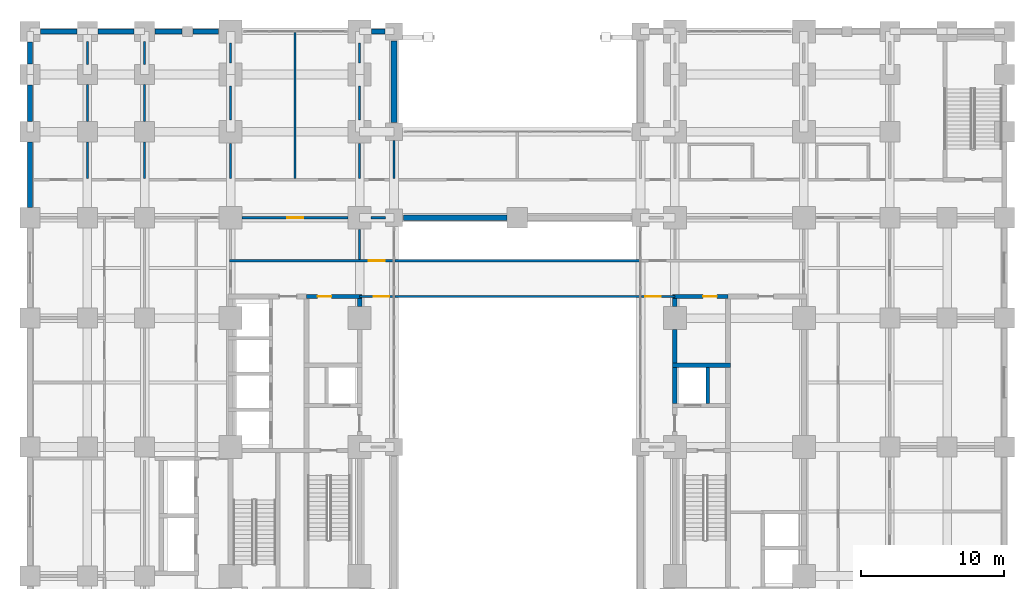
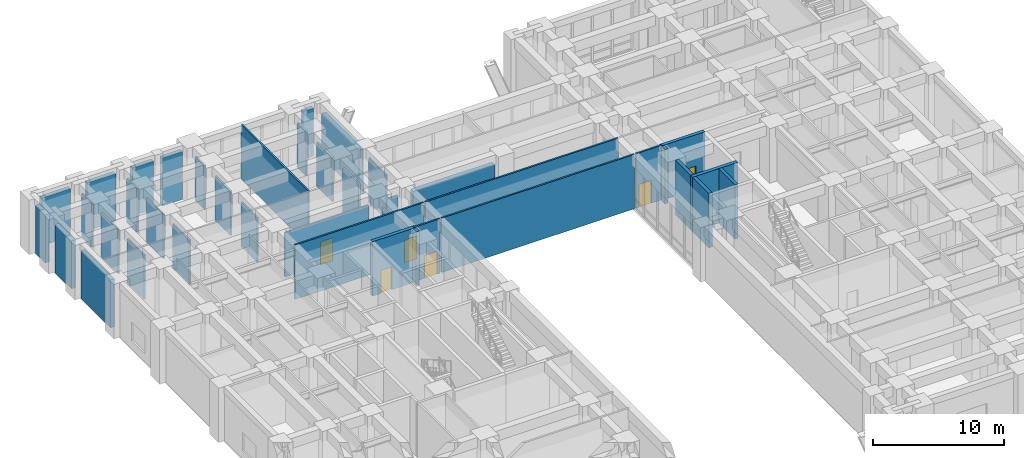
# One storey, part 14 of 23: 40 walls, 6 doors, 6 openings.
"""IFC4 building model written with IfcOpenShell, lengths in metres."""

import ifcopenshell
import ifcopenshell.guid

model = None  # the IFC model being written
_history = None  # IfcOwnerHistory: only IFC2X3 demands one
_inside = {}  # id of a spatial element -> (the spatial element, [elements in it])
_under = {}  # id of a project, library or spatial element -> (it, [spatial elements below it])
_declared = {}  # id of a project -> (the project, [libraries it declares])
_typed = {}  # id of a type object -> (the type object, [elements of that type])
_made_of = {}  # id of a material, layer set ... -> (it, [elements and type objects made of it])


def new_model(schema):
    """Start an empty IFC model of exactly this schema.

    Asked for "IFC4X3", IfcOpenShell would pick the latest addendum, in which some entities
    have other attributes; the version numbers below select the first issue.
    IFC2X3 requires an IfcOwnerHistory on every rooted entity: one is made here for all.
    """
    global model, _history
    if schema == "IFC4X3":
        model = ifcopenshell.file(schema_version=(4, 3, 0, 0))
    else:
        model = ifcopenshell.file(schema=schema)
    _inside.clear()
    _under.clear()
    _declared.clear()
    _typed.clear()
    _made_of.clear()
    _history = None
    if model.schema == "IFC2X3":
        org = make("IfcOrganization", Name="unknown")
        user = make(
            "IfcPersonAndOrganization",
            ThePerson=make("IfcPerson", FamilyName="unknown"),
            TheOrganization=org,
        )
        app = make(
            "IfcApplication",
            ApplicationDeveloper=org,
            Version="unknown",
            ApplicationFullName="unknown",
            ApplicationIdentifier="unknown",
        )
        _history = make(
            "IfcOwnerHistory",
            OwningUser=user,
            OwningApplication=app,
            ChangeAction="ADDED",
            CreationDate=0,
        )
    return model


def make(cls, **values):
    """One entity of the class cls with the attributes given. An attribute that is None is left unset."""
    return model.create_entity(
        cls, **{name: value for name, value in values.items() if value is not None}
    )


def rooted(cls, **values):
    """An entity with a GlobalId (a new one), such as an element, a storey or a relation."""
    return make(cls, GlobalId=ifcopenshell.guid.new(), OwnerHistory=_history, **values)


def si_unit(unit_type, name, prefix=None):
    """IfcSIUnit, for example si_unit("LENGTHUNIT", "METRE", prefix="MILLI")."""
    return make("IfcSIUnit", UnitType=unit_type, Prefix=prefix, Name=name)


def assignment(units):
    """IfcUnitAssignment: the units of a project."""
    return None if units is None else make("IfcUnitAssignment", Units=units)


def point(xyz):
    """IfcCartesianPoint."""
    return None if xyz is None else make("IfcCartesianPoint", Coordinates=xyz)


def direction(xyz):
    """IfcDirection."""
    return None if xyz is None else make("IfcDirection", DirectionRatios=xyz)


def frame(location, z_axis=None, x_axis=None):
    """IfcAxis2Placement3D, a coordinate frame: its origin and axes. An axis left out is left unset."""
    return make(
        "IfcAxis2Placement3D",
        Location=point(location),
        Axis=direction(z_axis),
        RefDirection=direction(x_axis),
    )


def frame_2d(location, x_axis=None):
    """IfcAxis2Placement2D, a coordinate frame in the plane: its origin and x axis."""
    return make(
        "IfcAxis2Placement2D", Location=point(location), RefDirection=direction(x_axis)
    )


def origin():
    """The frame at (0, 0, 0) with its axes left unset."""
    return frame((0.0, 0.0, 0.0))


def place(relative_to, where):
    """IfcLocalPlacement: puts the frame where relative to a parent placement (None: the world)."""
    return make(
        "IfcLocalPlacement", PlacementRelTo=relative_to, RelativePlacement=where
    )


def context(
    kind, dimensions, precision=None, world=None, true_north=None, identifier=None
):
    """IfcGeometricRepresentationContext, for example the 3D "Model" context."""
    return make(
        "IfcGeometricRepresentationContext",
        ContextIdentifier=identifier,
        ContextType=kind,
        CoordinateSpaceDimension=dimensions,
        Precision=precision,
        WorldCoordinateSystem=world,
        TrueNorth=true_north,
    )


def subcontext(parent, identifier, kind, view, scale=None):
    """IfcGeometricRepresentationSubContext, for example "Body" below "Model"."""
    return make(
        "IfcGeometricRepresentationSubContext",
        ContextIdentifier=identifier,
        ContextType=kind,
        ParentContext=parent,
        TargetScale=scale,
        TargetView=view,
    )


def project(units=None, contexts=None):
    """IfcProject with its units and contexts."""
    return rooted(
        "IfcProject",
        Name="project",
        RepresentationContexts=contexts,
        UnitsInContext=assignment(units),
    )


def spatial(cls, under=None, at=None, **own):
    """A site, building, storey or space (cls), placed at a placement, below another one or the project."""
    s = rooted(cls, ObjectPlacement=at, **own)
    if under is not None:
        _under.setdefault(under.id(), (under, []))[1].append(s)
    return s


def profile(cls, at=None, kind="AREA", **sizes):
    """A parametric profile (cls). Its sizes go by their IFC names, for example OverallWidth=200.0."""
    return make(cls, ProfileType=kind, Position=at, **sizes)


def rectangle(**sizes):
    """IfcRectangleProfileDef."""
    return profile("IfcRectangleProfileDef", **sizes)


def extrude(swept, where, along, depth):
    """IfcExtrudedAreaSolid: the profile swept, set in the frame where, extruded along a direction by depth."""
    return make(
        "IfcExtrudedAreaSolid",
        SweptArea=swept,
        Position=where,
        ExtrudedDirection=direction(along),
        Depth=depth,
    )


def shape(context_of_items, identifier, shape_type, items):
    """IfcShapeRepresentation: the items that make up one representation, for example the "Body"."""
    return make(
        "IfcShapeRepresentation",
        ContextOfItems=context_of_items,
        RepresentationIdentifier=identifier,
        RepresentationType=shape_type,
        Items=items,
    )


def material(Name=None, Category=None):
    """IfcMaterial."""
    return make("IfcMaterial", Name=Name, Category=Category)


def layer(
    of_material, thickness, ventilated=None, Name=None, Category=None, Priority=None
):
    """IfcMaterialLayer: one layer of a wall or slab, of a material (None: an air gap)."""
    return make(
        "IfcMaterialLayer",
        Material=of_material,
        LayerThickness=thickness,
        IsVentilated=ventilated,
        Name=Name,
        Category=Category,
        Priority=Priority,
    )


def layer_set(layers, Name=None):
    """IfcMaterialLayerSet."""
    return make("IfcMaterialLayerSet", MaterialLayers=layers, LayerSetName=Name)


def made_of(thing, what):
    """Note that an element or type object is made of a material, layer set ...; save() writes the relation."""
    if what is not None:
        _made_of.setdefault(what.id(), (what, []))[1].append(thing)
    return thing


def type_object(cls, material=None, **own):
    """A type object (cls), such as IfcWallType, which elements share."""
    return made_of(rooted(cls, **own), material)


def element(
    cls,
    number,
    at=None,
    inside=None,
    cuts=None,
    type_object=None,
    material=None,
    context=None,
    identifier="Body",
    shape_type=None,
    held_by="IfcProductDefinitionShape",
    body=None,
    shapes=None,
    **own,
):
    """One element of the class cls, such as IfcWall. Its Tag is "e" and its number.

    at: its placement. inside: the storey or other place that contains it. cuts: it is an
    opening in that element (IfcRelVoidsElement). A single representation is given by context,
    identifier, shape_type and body (its items); several are given by shapes. held_by: the class
    of the entity that holds the representations. save() writes the other relations.
    """
    e = rooted(cls, Tag="e%d" % number, ObjectPlacement=at, **own)
    if body is not None:
        shapes = [shape(context, identifier, shape_type, body)]
    if shapes is not None:
        e.Representation = make(held_by, Representations=shapes)
    if inside is not None:
        _inside.setdefault(inside.id(), (inside, []))[1].append(e)
    if cuts is not None:
        rooted(
            "IfcRelVoidsElement", RelatingBuildingElement=cuts, RelatedOpeningElement=e
        )
    if type_object is not None:
        _typed.setdefault(type_object.id(), (type_object, []))[1].append(e)
    return made_of(e, material)


def fill(opening, filler):
    """IfcRelFillsElement: the door or window that sits in an opening."""
    return rooted(
        "IfcRelFillsElement",
        RelatingOpeningElement=opening,
        RelatedBuildingElement=filler,
    )


def aggregate(whole, parts):
    """IfcRelAggregates: a whole, such as a stair, and the parts it consists of."""
    return rooted("IfcRelAggregates", RelatingObject=whole, RelatedObjects=parts)


def save(model, path):
    """Write the relations noted so far, then the file.

    IfcRelAggregates (storeys below a building ...), IfcRelContainedInSpatialStructure (elements
    in a storey), IfcRelDefinesByType, IfcRelAssociatesMaterial and IfcRelDeclares: one each for
    every whole, place, type object, material and project.
    """
    for whole, parts in _under.values():
        aggregate(whole, parts)
    for where, things in _inside.values():
        rooted(
            "IfcRelContainedInSpatialStructure",
            RelatedElements=things,
            RelatingStructure=where,
        )
    for kind, things in _typed.values():
        rooted("IfcRelDefinesByType", RelatedObjects=things, RelatingType=kind)
    for what, things in _made_of.values():
        rooted("IfcRelAssociatesMaterial", RelatedObjects=things, RelatingMaterial=what)
    for by, libraries in _declared.values():
        rooted("IfcRelDeclares", RelatingContext=by, RelatedDefinitions=libraries)
    model.write(path)


model = new_model("IFC4")

# Units and contexts
model_context = context("Model", 3, precision=1e-05, world=origin(), true_north=direction((0.0, 1.0)))
body_context = subcontext(model_context, "Body", "Model", "MODEL_VIEW")
ifc_project = project(units=[si_unit("LENGTHUNIT", "METRE"), si_unit("AREAUNIT", "SQUARE_METRE"), si_unit("VOLUMEUNIT", "CUBIC_METRE"), si_unit("PLANEANGLEUNIT", "RADIAN"), si_unit("MASSUNIT", "GRAM", prefix="KILO")], contexts=[model_context])

# Site, building, storey
site_placement = place(None, origin())
site = spatial("IfcSite", under=ifc_project, at=site_placement, CompositionType="ELEMENT")
building_placement = place(site_placement, origin())
building = spatial("IfcBuilding", under=site, at=building_placement, Name="Zulmaris Gate Convention Tower", CompositionType="ELEMENT")
storey_placement = place(building_placement, frame((0.0, 0.0, 10.8798828125)))
storey = spatial("IfcBuildingStorey", under=building, at=storey_placement, Name="L02", CompositionType="ELEMENT", Elevation=10.8798828125)

# Walls
ifc_material_1 = material(Name="Concrete C50/60", Category="concrete")
ifc_layer_1 = layer(ifc_material_1, 0.25, Name="Concrete C50/60")
ifc_layer_set_1 = layer_set([ifc_layer_1], Name="Concrete C50/60")
wall_type_1 = type_object("IfcWallType", Name="CORE-250", PredefinedType="SOLIDWALL", material=ifc_layer_set_1)
wall_1_placement = place(storey_placement, frame((13.300048828125, 3.052001953125, 0.0), z_axis=(0.0, 0.0, 1.0), x_axis=(0.0, 1.0, 0.0)))
element("IfcWall", 1, at=wall_1_placement, inside=storey, type_object=wall_type_1, Name="WL-L02-096", PredefinedType="SOLIDWALL", context=body_context, shape_type="SweptSolid", body=[
    extrude(rectangle(XDim=2.49609375, YDim=0.25, at=frame_2d((1.248046875, 0.0))), origin(), (0.0, 0.0, 1.0), 5.09033203125),
])
ifc_layer_2 = layer(ifc_material_1, 0.300048828125, Name="Concrete C50/60")
ifc_layer_set_2 = layer_set([ifc_layer_2], Name="Concrete C50/60")
wall_type_2 = type_object("IfcWallType", Name="CORE-300", PredefinedType="SHEAR", material=ifc_layer_set_2)
wall_2_placement = place(storey_placement, frame((10.85009765625, 5.699951171875, 0.0), z_axis=(0.0, 0.0, 1.0), x_axis=(1.0, 0.0, 0.0)))
element("IfcWall", 2, at=wall_2_placement, inside=storey, type_object=wall_type_2, Name="WL-L02-021", PredefinedType="SHEAR", context=body_context, shape_type="SweptSolid", body=[
    extrude(rectangle(XDim=4.02490234375, YDim=0.300048828125, at=frame_2d((2.012451171875, 0.0))), origin(), (0.0, 0.0, 1.0), 5.09033203125),
])

# Wall, opening, door
wall_3_placement = place(storey_placement, frame((-14.699951171875, 10.5, 0.0), z_axis=(0.0, 0.0, 1.0), x_axis=(1.0, 0.0, 0.0)))
wall_3 = element("IfcWall", 3, at=wall_3_placement, inside=storey, type_object=wall_type_2, Name="WL-L02-024", PredefinedType="SHEAR", context=body_context, shape_type="SweptSolid", body=[
    extrude(rectangle(XDim=3.849853515625, YDim=0.300048828125, at=frame_2d((1.9248046875, 0.0))), origin(), (0.0, 0.0, 1.0), 5.09033203125),
])
opening_1_placement = place(wall_3_placement, frame((0.77490234375, 0.0, 0.0)))
opening_1 = element("IfcOpeningElement", 4, at=opening_1_placement, cuts=wall_3, Name="Opening D-11", PredefinedType="OPENING", context=body_context, shape_type="SweptSolid", body=[
    extrude(rectangle(XDim=0.949951171875, YDim=2.14990234375, at=frame_2d((0.47509765625, 1.074951171875))), frame((0.0, 0.16015625, 0.0), z_axis=(0.0, -1.0, 0.0), x_axis=(1.0, 0.0, 0.0)), (0.0, 0.0, 1.0), 0.320068359375),
])
ifc_material_2 = material(Name="Fire-Rated Timber", Category="wood")
door_type_1 = type_object("IfcDoorType", Name="DR-950-FD", OperationType="NOTDEFINED", PredefinedType="DOOR", material=ifc_material_2)
door_1_placement = place(opening_1_placement, origin())
door_1 = element("IfcDoor", 5, at=door_1_placement, inside=storey, type_object=door_type_1, Name="L02 Core Pantry Door 07", OperationType="SINGLE_SWING_RIGHT", OverallHeight=2.14990234375, OverallWidth=0.949951171875, PredefinedType="DOOR", context=body_context, shape_type="SweptSolid", body=[
    extrude(rectangle(XDim=0.949951171875, YDim=2.14990234375, at=frame_2d((0.47509765625, 1.074951171875))), frame((0.0, 0.02490234375, 0.0), z_axis=(0.0, -1.0, 0.0), x_axis=(1.0, 0.0, 0.0)), (0.0, 0.0, 1.0), 0.050048828125),
])
fill(opening_1, door_1)

wall_4_placement = place(storey_placement, frame((10.85009765625, 10.5, 0.0), z_axis=(0.0, 0.0, 1.0), x_axis=(1.0, 0.0, 0.0)))
wall_4 = element("IfcWall", 6, at=wall_4_placement, inside=storey, type_object=wall_type_2, Name="WL-L02-025", PredefinedType="SHEAR", context=body_context, shape_type="SweptSolid", body=[
    extrude(rectangle(XDim=3.849853515625, YDim=0.300048828125, at=frame_2d((1.9248046875, 0.0))), origin(), (0.0, 0.0, 1.0), 5.09033203125),
])
opening_2_placement = place(wall_4_placement, frame((2.125, 0.0, 0.0)))
opening_2 = element("IfcOpeningElement", 7, at=opening_2_placement, cuts=wall_4, Name="Opening D-11", PredefinedType="OPENING", context=body_context, shape_type="SweptSolid", body=[
    extrude(rectangle(XDim=0.949951171875, YDim=2.14990234375, at=frame_2d((0.47509765625, 1.074951171875))), frame((0.0, 0.16015625, 0.0), z_axis=(0.0, -1.0, 0.0), x_axis=(1.0, 0.0, 0.0)), (0.0, 0.0, 1.0), 0.320068359375),
])
door_2_placement = place(opening_2_placement, origin())
door_2 = element("IfcDoor", 8, at=door_2_placement, inside=storey, type_object=door_type_1, Name="L02 Core Cleaners Store Door 08", OperationType="SINGLE_SWING_LEFT", OverallHeight=2.14990234375, OverallWidth=0.949951171875, PredefinedType="DOOR", context=body_context, shape_type="SweptSolid", body=[
    extrude(rectangle(XDim=0.949951171875, YDim=2.14990234375, at=frame_2d((0.47509765625, 1.074951171875))), frame((0.0, 0.02490234375, 0.0), z_axis=(0.0, -1.0, 0.0), x_axis=(1.0, 0.0, 0.0)), (0.0, 0.0, 1.0), 0.050048828125),
])
fill(opening_2, door_2)

# Walls
wall_5_placement = place(storey_placement, frame((-11.0, 9.803955078125, 0.0), z_axis=(0.0, 0.0, 1.0), x_axis=(0.0, 1.0, 0.0)))
element("IfcWall", 9, at=wall_5_placement, inside=storey, type_object=wall_type_2, Name="WL-L02-090S1", PredefinedType="SHEAR", context=body_context, shape_type="SweptSolid", body=[
    extrude(rectangle(XDim=0.5439453125, YDim=0.300048828125, at=frame_2d((0.27197265625, 0.0))), origin(), (0.0, 0.0, 1.0), 5.09033203125),
])
wall_6_placement = place(storey_placement, frame((11.0, 3.052001953125, 0.0), z_axis=(0.0, 0.0, 1.0), x_axis=(0.0, 1.0, 0.0)))
element("IfcWall", 10, at=wall_6_placement, inside=storey, type_object=wall_type_2, Name="WL-L02-093", PredefinedType="SHEAR", context=body_context, shape_type="SweptSolid", body=[
    extrude(rectangle(XDim=2.49609375, YDim=0.300048828125, at=frame_2d((1.248046875, 0.0))), origin(), (0.0, 0.0, 1.0), 5.09033203125),
])
wall_7_placement = place(storey_placement, frame((11.0, 5.85205078125, 0.0), z_axis=(0.0, 0.0, 1.0), x_axis=(0.0, 1.0, 0.0)))
element("IfcWall", 11, at=wall_7_placement, inside=storey, type_object=wall_type_2, Name="WL-L02-094", PredefinedType="SHEAR", context=body_context, shape_type="SweptSolid", body=[
    extrude(rectangle(XDim=2.343994140625, YDim=0.300048828125, at=frame_2d((1.171875, 0.0))), origin(), (0.0, 0.0, 1.0), 5.09033203125),
])
wall_8_placement = place(storey_placement, frame((11.0, 9.803955078125, 0.0), z_axis=(0.0, 0.0, 1.0), x_axis=(0.0, 1.0, 0.0)))
element("IfcWall", 12, at=wall_8_placement, inside=storey, type_object=wall_type_2, Name="WL-L02-094S1", PredefinedType="SHEAR", context=body_context, shape_type="SweptSolid", body=[
    extrude(rectangle(XDim=0.5439453125, YDim=0.300048828125, at=frame_2d((0.27197265625, 0.0))), origin(), (0.0, 0.0, 1.0), 5.09033203125),
])

# Wall, opening, door
ifc_material_3 = material(Name="Gypsum Metal Stud Partition")
ifc_layer_3 = layer(ifc_material_3, 0.14990234375, Name="Gypsum Metal Stud Partition")
ifc_layer_set_3 = layer_set([ifc_layer_3], Name="Gypsum Metal Stud Partition")
wall_type_3 = type_object("IfcWallType", Name="PART-150", PredefinedType="PARTITIONING", material=ifc_layer_set_3)
wall_9_placement = place(storey_placement, frame((-11.0, 10.5, 0.0), z_axis=(0.0, 0.0, 1.0), x_axis=(1.0, 0.0, 0.0)))
wall_9 = element("IfcWall", 13, at=wall_9_placement, inside=storey, type_object=wall_type_3, Name="WL-L02-049", PredefinedType="PARTITIONING", context=body_context, shape_type="SweptSolid", body=[
    extrude(rectangle(XDim=2.340087890625, YDim=0.14990234375, at=frame_2d((1.169921875, 0.0))), origin(), (0.0, 0.0, 1.0), 5.09033203125),
])
opening_3_placement = place(wall_9_placement, frame((0.969970703125, 0.0, 0.0)))
opening_3 = element("IfcOpeningElement", 14, at=opening_3_placement, cuts=wall_9, Name="Opening D-08", PredefinedType="OPENING", context=body_context, shape_type="SweptSolid", body=[
    extrude(rectangle(XDim=1.10009765625, YDim=2.14990234375, at=frame_2d((0.550048828125, 1.074951171875))), frame((0.0, 0.0849609375, 0.0), z_axis=(0.0, -1.0, 0.0), x_axis=(1.0, 0.0, 0.0)), (0.0, 0.0, 1.0), 0.169921875),
])
ifc_material_4 = material(Name="Fire-Rated Steel", Category="steel")
door_type_2 = type_object("IfcDoorType", Name="DR-1100-FD", OperationType="NOTDEFINED", PredefinedType="DOOR", material=ifc_material_4)
door_3_placement = place(opening_3_placement, origin())
door_3 = element("IfcDoor", 15, at=door_3_placement, inside=storey, type_object=door_type_2, Name="L02 West Spine Core Door 35", OperationType="SINGLE_SWING_RIGHT", OverallHeight=2.14990234375, OverallWidth=1.10009765625, PredefinedType="DOOR", context=body_context, shape_type="SweptSolid", body=[
    extrude(rectangle(XDim=1.10009765625, YDim=2.14990234375, at=frame_2d((0.550048828125, 1.074951171875))), frame((0.0, 0.02490234375, 0.0), z_axis=(0.0, -1.0, 0.0), x_axis=(1.0, 0.0, 0.0)), (0.0, 0.0, 1.0), 0.050048828125),
])
fill(opening_3, door_3)

# Wall
wall_10_placement = place(storey_placement, frame((-8.5400390625, 10.5, 0.0), z_axis=(0.0, 0.0, 1.0), x_axis=(1.0, 0.0, 0.0)))
element("IfcWall", 16, at=wall_10_placement, inside=storey, type_object=wall_type_3, Name="WL-L02-050", PredefinedType="PARTITIONING", context=body_context, shape_type="SweptSolid", body=[
    extrude(rectangle(XDim=17.080078125, YDim=0.14990234375, at=frame_2d((8.5400390625, 0.0))), origin(), (0.0, 0.0, 1.0), 5.09033203125),
])

# Wall, opening, door
wall_11_placement = place(storey_placement, frame((8.659912109375, 10.5, 0.0), z_axis=(0.0, 0.0, 1.0), x_axis=(1.0, 0.0, 0.0)))
wall_11 = element("IfcWall", 17, at=wall_11_placement, inside=storey, type_object=wall_type_3, Name="WL-L02-051", PredefinedType="PARTITIONING", context=body_context, shape_type="SweptSolid", body=[
    extrude(rectangle(XDim=2.340087890625, YDim=0.14990234375, at=frame_2d((1.169921875, 0.0))), origin(), (0.0, 0.0, 1.0), 5.09033203125),
])
opening_4_placement = place(wall_11_placement, frame((0.27001953125, 0.0, 0.0)))
opening_4 = element("IfcOpeningElement", 18, at=opening_4_placement, cuts=wall_11, Name="Opening D-08", PredefinedType="OPENING", context=body_context, shape_type="SweptSolid", body=[
    extrude(rectangle(XDim=1.10009765625, YDim=2.14990234375, at=frame_2d((0.550048828125, 1.074951171875))), frame((0.0, 0.0849609375, 0.0), z_axis=(0.0, -1.0, 0.0), x_axis=(1.0, 0.0, 0.0)), (0.0, 0.0, 1.0), 0.169921875),
])
door_4_placement = place(opening_4_placement, origin())
door_4 = element("IfcDoor", 19, at=door_4_placement, inside=storey, type_object=door_type_2, Name="L02 East Spine Core Door 36", OperationType="SINGLE_SWING_LEFT", OverallHeight=2.14990234375, OverallWidth=1.10009765625, PredefinedType="DOOR", context=body_context, shape_type="SweptSolid", body=[
    extrude(rectangle(XDim=1.10009765625, YDim=2.14990234375, at=frame_2d((0.550048828125, 1.074951171875))), frame((0.0, 0.02490234375, 0.0), z_axis=(0.0, -1.0, 0.0), x_axis=(1.0, 0.0, 0.0)), (0.0, 0.0, 1.0), 0.050048828125),
])
fill(opening_4, door_4)

wall_12_placement = place(storey_placement, frame((-20.074951171875, 13.0, 0.0), z_axis=(0.0, 0.0, 1.0), x_axis=(1.0, 0.0, 0.0)))
wall_12 = element("IfcWall", 20, at=wall_12_placement, inside=storey, type_object=wall_type_3, Name="WL-L02-052", PredefinedType="PARTITIONING", context=body_context, shape_type="SweptSolid", body=[
    extrude(rectangle(XDim=11.4150390625, YDim=0.14990234375, at=frame_2d((5.70751953125, 0.0))), origin(), (0.0, 0.0, 1.0), 5.09033203125),
])
opening_5_placement = place(wall_12_placement, frame((9.72509765625, 0.0, 0.0)))
opening_5 = element("IfcOpeningElement", 21, at=opening_5_placement, cuts=wall_12, Name="Opening D-08", PredefinedType="OPENING", context=body_context, shape_type="SweptSolid", body=[
    extrude(rectangle(XDim=1.10009765625, YDim=2.14990234375, at=frame_2d((0.550048828125, 1.074951171875))), frame((0.0, 0.0849609375, 0.0), z_axis=(0.0, -1.0, 0.0), x_axis=(1.0, 0.0, 0.0)), (0.0, 0.0, 1.0), 0.169921875),
])
door_5_placement = place(opening_5_placement, origin())
door_5 = element("IfcDoor", 22, at=door_5_placement, inside=storey, type_object=door_type_2, Name="L02 West Spine North Door 33", OperationType="SINGLE_SWING_RIGHT", OverallHeight=2.14990234375, OverallWidth=1.10009765625, PredefinedType="DOOR", context=body_context, shape_type="SweptSolid", body=[
    extrude(rectangle(XDim=1.10009765625, YDim=2.14990234375, at=frame_2d((0.550048828125, 1.074951171875))), frame((0.0, 0.02490234375, 0.0), z_axis=(0.0, -1.0, 0.0), x_axis=(1.0, 0.0, 0.0)), (0.0, 0.0, 1.0), 0.050048828125),
])
fill(opening_5, door_5)

# Wall
wall_13_placement = place(storey_placement, frame((-8.5400390625, 13.0, 0.0), z_axis=(0.0, 0.0, 1.0), x_axis=(1.0, 0.0, 0.0)))
element("IfcWall", 23, at=wall_13_placement, inside=storey, type_object=wall_type_3, Name="WL-L02-053", PredefinedType="PARTITIONING", context=body_context, shape_type="SweptSolid", body=[
    extrude(rectangle(XDim=17.080078125, YDim=0.14990234375, at=frame_2d((8.5400390625, 0.0))), origin(), (0.0, 0.0, 1.0), 5.09033203125),
])

# Wall, opening, door
wall_14_placement = place(storey_placement, frame((-19.194091796875, 16.0, 0.0), z_axis=(0.0, 0.0, 1.0), x_axis=(1.0, 0.0, 0.0)))
wall_14 = element("IfcWall", 24, at=wall_14_placement, inside=storey, type_object=wall_type_3, Name="WL-L02-057", PredefinedType="PARTITIONING", context=body_context, shape_type="SweptSolid", body=[
    extrude(rectangle(XDim=7.38818359375, YDim=0.14990234375, at=frame_2d((3.694091796875, 0.0))), origin(), (0.0, 0.0, 1.0), 4.13232421875),
])
opening_6_placement = place(wall_14_placement, frame((3.14404296875, 0.0, 0.0)))
opening_6 = element("IfcOpeningElement", 25, at=opening_6_placement, cuts=wall_14, Name="Opening D-21", PredefinedType="OPENING", context=body_context, shape_type="SweptSolid", body=[
    extrude(rectangle(XDim=1.10009765625, YDim=2.14990234375, at=frame_2d((0.550048828125, 1.074951171875))), frame((0.0, 0.0849609375, 0.0), z_axis=(0.0, -1.0, 0.0), x_axis=(1.0, 0.0, 0.0)), (0.0, 0.0, 1.0), 0.169921875),
])
ifc_material_5 = material(Name="Acoustic Hardwood Timber", Category="wood")
door_type_3 = type_object("IfcDoorType", Name="DR-1100", OperationType="NOTDEFINED", PredefinedType="DOOR", material=ifc_material_5)
door_6_placement = place(opening_6_placement, origin())
door_6 = element("IfcDoor", 26, at=door_6_placement, inside=storey, type_object=door_type_3, Name="L02 NW Breakout Salon Door 25", OperationType="SINGLE_SWING_RIGHT", OverallHeight=2.14990234375, OverallWidth=1.10009765625, PredefinedType="DOOR", context=body_context, shape_type="SweptSolid", body=[
    extrude(rectangle(XDim=1.10009765625, YDim=2.14990234375, at=frame_2d((0.550048828125, 1.074951171875))), frame((0.0, 0.02490234375, 0.0), z_axis=(0.0, -1.0, 0.0), x_axis=(1.0, 0.0, 0.0)), (0.0, 0.0, 1.0), 0.050048828125),
])
fill(opening_6, door_6)

# Walls
wall_15_placement = place(storey_placement, frame((-10.194091796875, 16.0, 0.0), z_axis=(0.0, 0.0, 1.0), x_axis=(1.0, 0.0, 0.0)))
element("IfcWall", 27, at=wall_15_placement, inside=storey, type_object=wall_type_3, Name="WL-L02-058", PredefinedType="PARTITIONING", context=body_context, shape_type="SweptSolid", body=[
    extrude(rectangle(XDim=0.988037109375, YDim=0.14990234375, at=frame_2d((0.494140625, 0.0))), origin(), (0.0, 0.0, 1.0), 4.13232421875),
])
wall_16_placement = place(storey_placement, frame((-30.0, 18.72802734375, 0.0), z_axis=(0.0, 0.0, 1.0), x_axis=(0.0, 1.0, 0.0)))
element("IfcWall", 28, at=wall_16_placement, inside=storey, type_object=wall_type_3, Name="WL-L02-108", PredefinedType="PARTITIONING", context=body_context, shape_type="SweptSolid", body=[
    extrude(rectangle(XDim=2.56591796875, YDim=0.14990234375, at=frame_2d((1.282958984375, 0.0))), origin(), (0.0, 0.0, 1.0), 4.13232421875),
])
wall_17_placement = place(storey_placement, frame((-30.0, 22.7060546875, 0.0), z_axis=(0.0, 0.0, 1.0), x_axis=(0.0, 1.0, 0.0)))
element("IfcWall", 29, at=wall_17_placement, inside=storey, type_object=wall_type_3, Name="WL-L02-108S1", PredefinedType="PARTITIONING", context=body_context, shape_type="SweptSolid", body=[
    extrude(rectangle(XDim=2.587890625, YDim=0.14990234375, at=frame_2d((1.2939453125, 0.0))), origin(), (0.0, 0.0, 1.0), 4.13232421875),
])
wall_18_placement = place(storey_placement, frame((-30.0, 26.7060546875, 0.0), z_axis=(0.0, 0.0, 1.0), x_axis=(0.0, 1.0, 0.0)))
element("IfcWall", 30, at=wall_18_placement, inside=storey, type_object=wall_type_3, Name="WL-L02-108S2", PredefinedType="PARTITIONING", context=body_context, shape_type="SweptSolid", body=[
    extrude(rectangle(XDim=1.587890625, YDim=0.14990234375, at=frame_2d((0.7939453125, 0.0))), origin(), (0.0, 0.0, 1.0), 4.13232421875),
])
wall_19_placement = place(storey_placement, frame((-26.0, 18.72802734375, 0.0), z_axis=(0.0, 0.0, 1.0), x_axis=(0.0, 1.0, 0.0)))
element("IfcWall", 31, at=wall_19_placement, inside=storey, type_object=wall_type_3, Name="WL-L02-119", PredefinedType="PARTITIONING", context=body_context, shape_type="SweptSolid", body=[
    extrude(rectangle(XDim=2.56591796875, YDim=0.14990234375, at=frame_2d((1.282958984375, 0.0))), origin(), (0.0, 0.0, 1.0), 4.13232421875),
])
wall_20_placement = place(storey_placement, frame((-26.0, 22.7060546875, 0.0), z_axis=(0.0, 0.0, 1.0), x_axis=(0.0, 1.0, 0.0)))
element("IfcWall", 32, at=wall_20_placement, inside=storey, type_object=wall_type_3, Name="WL-L02-119S1", PredefinedType="PARTITIONING", context=body_context, shape_type="SweptSolid", body=[
    extrude(rectangle(XDim=2.587890625, YDim=0.14990234375, at=frame_2d((1.2939453125, 0.0))), origin(), (0.0, 0.0, 1.0), 4.13232421875),
])
wall_21_placement = place(storey_placement, frame((-26.0, 26.7060546875, 0.0), z_axis=(0.0, 0.0, 1.0), x_axis=(0.0, 1.0, 0.0)))
element("IfcWall", 33, at=wall_21_placement, inside=storey, type_object=wall_type_3, Name="WL-L02-119S2", PredefinedType="PARTITIONING", context=body_context, shape_type="SweptSolid", body=[
    extrude(rectangle(XDim=1.587890625, YDim=0.14990234375, at=frame_2d((0.7939453125, 0.0))), origin(), (0.0, 0.0, 1.0), 4.13232421875),
])
wall_22_placement = place(storey_placement, frame((-20.0, 18.72802734375, 0.0), z_axis=(0.0, 0.0, 1.0), x_axis=(0.0, 1.0, 0.0)))
element("IfcWall", 34, at=wall_22_placement, inside=storey, type_object=wall_type_3, Name="WL-L02-127", PredefinedType="PARTITIONING", context=body_context, shape_type="SweptSolid", body=[
    extrude(rectangle(XDim=2.466064453125, YDim=0.14990234375, at=frame_2d((1.23291015625, 0.0))), origin(), (0.0, 0.0, 1.0), 4.13232421875),
])
wall_23_placement = place(storey_placement, frame((-20.0, 22.805908203125, 0.0), z_axis=(0.0, 0.0, 1.0), x_axis=(0.0, 1.0, 0.0)))
element("IfcWall", 35, at=wall_23_placement, inside=storey, type_object=wall_type_3, Name="WL-L02-127S1", PredefinedType="PARTITIONING", context=body_context, shape_type="SweptSolid", body=[
    extrude(rectangle(XDim=2.38818359375, YDim=0.14990234375, at=frame_2d((1.194091796875, 0.0))), origin(), (0.0, 0.0, 1.0), 4.13232421875),
])
wall_24_placement = place(storey_placement, frame((-20.0, 26.805908203125, 0.0), z_axis=(0.0, 0.0, 1.0), x_axis=(0.0, 1.0, 0.0)))
element("IfcWall", 36, at=wall_24_placement, inside=storey, type_object=wall_type_3, Name="WL-L02-127S2", PredefinedType="PARTITIONING", context=body_context, shape_type="SweptSolid", body=[
    extrude(rectangle(XDim=1.38818359375, YDim=0.14990234375, at=frame_2d((0.694091796875, 0.0))), origin(), (0.0, 0.0, 1.0), 4.13232421875),
])
wall_25_placement = place(storey_placement, frame((-15.5, 18.72802734375, 0.0), z_axis=(0.0, 0.0, 1.0), x_axis=(0.0, 1.0, 0.0)))
element("IfcWall", 37, at=wall_25_placement, inside=storey, type_object=wall_type_3, Name="WL-L02-128", PredefinedType="PARTITIONING", context=body_context, shape_type="SweptSolid", body=[
    extrude(rectangle(XDim=10.2119140625, YDim=0.14990234375, at=frame_2d((5.10595703125, 0.0))), origin(), (0.0, 0.0, 1.0), 5.09033203125),
])
wall_26_placement = place(storey_placement, frame((-11.0, 13.077880859375, 0.0), z_axis=(0.0, 0.0, 1.0), x_axis=(0.0, 1.0, 0.0)))
element("IfcWall", 38, at=wall_26_placement, inside=storey, type_object=wall_type_3, Name="WL-L02-130", PredefinedType="PARTITIONING", context=body_context, shape_type="SweptSolid", body=[
    extrude(rectangle(XDim=2.1162109375, YDim=0.14990234375, at=frame_2d((1.05810546875, 0.0))), origin(), (0.0, 0.0, 1.0), 4.13232421875),
])
wall_27_placement = place(storey_placement, frame((-11.0, 18.72802734375, 0.0), z_axis=(0.0, 0.0, 1.0), x_axis=(0.0, 1.0, 0.0)))
element("IfcWall", 39, at=wall_27_placement, inside=storey, type_object=wall_type_3, Name="WL-L02-131", PredefinedType="PARTITIONING", context=body_context, shape_type="SweptSolid", body=[
    extrude(rectangle(XDim=2.466064453125, YDim=0.14990234375, at=frame_2d((1.23291015625, 0.0))), origin(), (0.0, 0.0, 1.0), 4.13232421875),
])
wall_28_placement = place(storey_placement, frame((-11.0, 22.805908203125, 0.0), z_axis=(0.0, 0.0, 1.0), x_axis=(0.0, 1.0, 0.0)))
element("IfcWall", 40, at=wall_28_placement, inside=storey, type_object=wall_type_3, Name="WL-L02-131S1", PredefinedType="PARTITIONING", context=body_context, shape_type="SweptSolid", body=[
    extrude(rectangle(XDim=2.38818359375, YDim=0.14990234375, at=frame_2d((1.194091796875, 0.0))), origin(), (0.0, 0.0, 1.0), 4.13232421875),
])
wall_29_placement = place(storey_placement, frame((-11.0, 26.805908203125, 0.0), z_axis=(0.0, 0.0, 1.0), x_axis=(0.0, 1.0, 0.0)))
element("IfcWall", 41, at=wall_29_placement, inside=storey, type_object=wall_type_3, Name="WL-L02-131S2", PredefinedType="PARTITIONING", context=body_context, shape_type="SweptSolid", body=[
    extrude(rectangle(XDim=1.38818359375, YDim=0.14990234375, at=frame_2d((0.694091796875, 0.0))), origin(), (0.0, 0.0, 1.0), 4.13232421875),
])
wall_30_placement = place(storey_placement, frame((-8.60009765625, 18.72802734375, 0.0), z_axis=(0.0, 0.0, 1.0), x_axis=(0.0, 1.0, 0.0)))
element("IfcWall", 42, at=wall_30_placement, inside=storey, type_object=wall_type_3, Name="WL-L02-132", PredefinedType="PARTITIONING", context=body_context, shape_type="SweptSolid", body=[
    extrude(rectangle(XDim=2.666015625, YDim=0.14990234375, at=frame_2d((1.3330078125, 0.0))), origin(), (0.0, 0.0, 1.0), 4.13232421875),
])
ifc_material_6 = material(Name="Precast concrete C50/60", Category="concrete")
ifc_layer_4 = layer(ifc_material_6, 0.39990234375, Name="Precast concrete C50/60")
ifc_layer_set_4 = layer_set([ifc_layer_4], Name="Precast concrete C50/60")
wall_type_4 = type_object("IfcWallType", Name="PRECAST-ARCH-400", PredefinedType="STANDARD", material=ifc_layer_set_4)
wall_31_placement = place(storey_placement, frame((-7.949951171875, 16.0, 0.0), z_axis=(0.0, 0.0, 1.0), x_axis=(1.0, 0.0, 0.0)))
element("IfcWall", 43, at=wall_31_placement, inside=storey, type_object=wall_type_4, Name="EW-L02-ARCH-N_0", PredefinedType="STANDARD", context=body_context, shape_type="SweptSolid", body=[
    extrude(rectangle(XDim=7.219970703125, YDim=0.39990234375, at=frame_2d((3.60986328125, 0.0))), origin(), (0.0, 0.0, 1.0), 4.13232421875),
])
wall_32_placement = place(storey_placement, frame((-8.60009765625, 22.6298828125, 0.0), z_axis=(0.0, 0.0, 1.0), x_axis=(0.0, 1.0, 0.0)))
element("IfcWall", 44, at=wall_32_placement, inside=storey, type_object=wall_type_4, Name="EW-L02-ARCH-NWS_0", PredefinedType="STANDARD", context=body_context, shape_type="SweptSolid", body=[
    extrude(rectangle(XDim=5.72021484375, YDim=0.39990234375, at=frame_2d((2.860107421875, 0.0))), origin(), (0.0, 0.0, 1.0), 4.13232421875),
])
ifc_material_7 = material(Name="Precast concrete C45/55", Category="concrete")
ifc_layer_5 = layer(ifc_material_7, 0.35009765625, Name="Precast concrete C45/55")
ifc_layer_set_5 = layer_set([ifc_layer_5], Name="Precast concrete C45/55")
wall_type_5 = type_object("IfcWallType", Name="PRECAST-POD-350", PredefinedType="STANDARD", material=ifc_layer_set_5)
for number, where, z_axis, x_axis, name in (
    (45, (-30.72998046875, 29.0, 0.0), (0.0, 0.0, 1.0), (-1.0, 0.0, 0.0), "EW-L02-N--340_0"),
    (46, (-26.72998046875, 29.0, 0.0), (0.0, 0.0, 1.0), (-1.0, 0.0, 0.0), "EW-L02-N--300_0"),
):
    element("IfcWall", number, at=place(storey_placement, frame(where, z_axis=z_axis, x_axis=x_axis)), inside=storey, type_object=wall_type_5, Name=name, PredefinedType="STANDARD", context=body_context, shape_type="SweptSolid", body=[
        extrude(rectangle(XDim=2.5400390625, YDim=0.35009765625, at=frame_2d((1.27001953125, 0.0))), origin(), (0.0, 0.0, 1.0), 4.482177734375),
    ])
wall_33_placement = place(storey_placement, frame((-23.3798828125, 29.0, 0.0), z_axis=(0.0, 0.0, 1.0), x_axis=(-1.0, 0.0, 0.0)))
element("IfcWall", 47, at=wall_33_placement, inside=storey, type_object=wall_type_5, Name="EW-L02-N--260_0", PredefinedType="STANDARD", context=body_context, shape_type="SweptSolid", body=[
    extrude(rectangle(XDim=1.89013671875, YDim=0.35009765625, at=frame_2d((0.945068359375, 0.0))), origin(), (0.0, 0.0, 1.0), 4.482177734375),
])
wall_34_placement = place(storey_placement, frame((-20.830078125, 29.0, 0.0), z_axis=(0.0, 0.0, 1.0), x_axis=(-1.0, 0.0, 0.0)))
element("IfcWall", 48, at=wall_34_placement, inside=storey, type_object=wall_type_5, Name="EW-L02-N--230_0", PredefinedType="STANDARD", context=body_context, shape_type="SweptSolid", body=[
    extrude(rectangle(XDim=1.7900390625, YDim=0.35009765625, at=frame_2d((0.89501953125, 0.0))), origin(), (0.0, 0.0, 1.0), 4.482177734375),
])
wall_35_placement = place(storey_placement, frame((-9.22998046875, 29.0, 0.0), z_axis=(0.0, 0.0, 1.0), x_axis=(-1.0, 0.0, 0.0)))
element("IfcWall", 49, at=wall_35_placement, inside=storey, type_object=wall_type_5, Name="EW-L02-N--110_0", PredefinedType="STANDARD", context=body_context, shape_type="SweptSolid", body=[
    extrude(rectangle(XDim=0.93994140625, YDim=0.35009765625, at=frame_2d((0.469970703125, 0.0))), origin(), (0.0, 0.0, 1.0), 4.482177734375),
])
wall_36_placement = place(storey_placement, frame((-34.0, 16.72998046875, 0.0), z_axis=(0.0, 0.0, 1.0), x_axis=(0.0, 1.0, 0.0)))
element("IfcWall", 50, at=wall_36_placement, inside=storey, type_object=wall_type_5, Name="EW-L02-W-16_0", PredefinedType="STANDARD", context=body_context, shape_type="SweptSolid", body=[
    extrude(rectangle(XDim=4.5400390625, YDim=0.35009765625, at=frame_2d((2.27001953125, 0.0))), origin(), (0.0, 0.0, 1.0), 4.482177734375),
])
wall_37_placement = place(storey_placement, frame((-34.0, 22.72998046875, 0.0), z_axis=(0.0, 0.0, 1.0), x_axis=(0.0, 1.0, 0.0)))
element("IfcWall", 51, at=wall_37_placement, inside=storey, type_object=wall_type_5, Name="EW-L02-W-22_0", PredefinedType="STANDARD", context=body_context, shape_type="SweptSolid", body=[
    extrude(rectangle(XDim=2.5400390625, YDim=0.35009765625, at=frame_2d((1.27001953125, 0.0))), origin(), (0.0, 0.0, 1.0), 4.482177734375),
])
wall_38_placement = place(storey_placement, frame((-34.0, 26.72998046875, 0.0), z_axis=(0.0, 0.0, 1.0), x_axis=(0.0, 1.0, 0.0)))
element("IfcWall", 52, at=wall_38_placement, inside=storey, type_object=wall_type_5, Name="EW-L02-W-26_0", PredefinedType="STANDARD", context=body_context, shape_type="SweptSolid", body=[
    extrude(rectangle(XDim=1.5400390625, YDim=0.35009765625, at=frame_2d((0.77001953125, 0.0))), origin(), (0.0, 0.0, 1.0), 4.482177734375),
])

save(model, "model.ifc")
